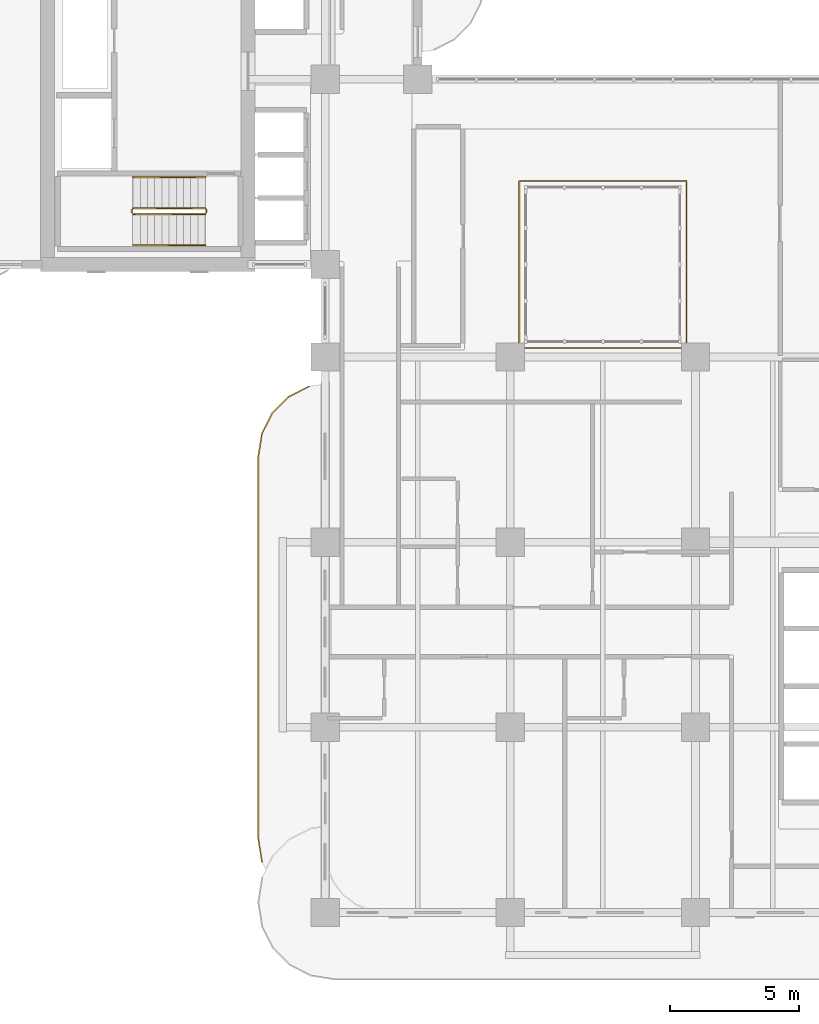
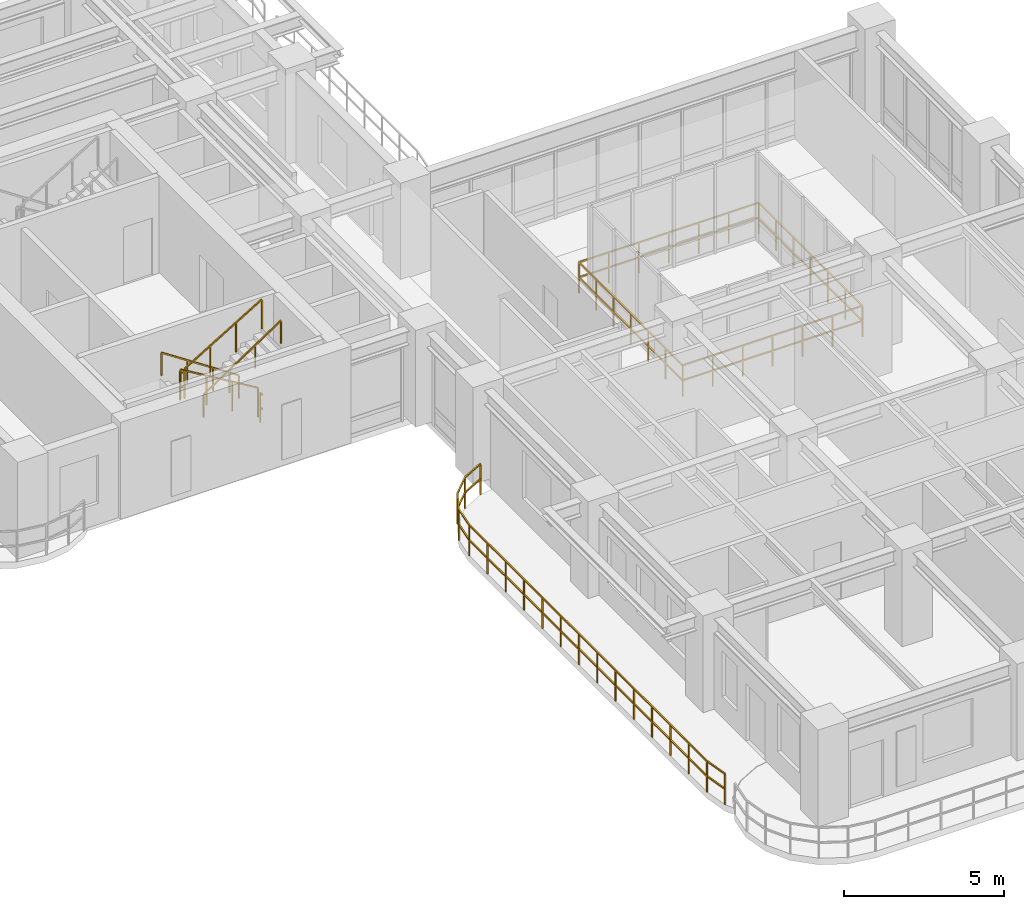
# One storey, part 18 of 22: 8 railings.
"""IFC4 building model written with IfcOpenShell, lengths in metres."""

from ifc_helpers import new_model, si_unit, derived_unit, direction, frame, origin, origin_2d, place, context, subcontext, project, spatial, rectangle, extrude, material, type_object, element, save


model = new_model("IFC4")

# Units and contexts
model_context = context("Model", 3, precision=1e-05, world=origin(), true_north=direction((0.0, 1.0)))
body_context = subcontext(model_context, "Body", "Model", "MODEL_VIEW")
ifc_project = project(units=[si_unit("LENGTHUNIT", "METRE"), si_unit("AREAUNIT", "SQUARE_METRE"), si_unit("VOLUMEUNIT", "CUBIC_METRE"), si_unit("PLANEANGLEUNIT", "RADIAN"), si_unit("MASSUNIT", "GRAM", prefix="KILO"), si_unit("THERMODYNAMICTEMPERATUREUNIT", "KELVIN"), si_unit("POWERUNIT", "WATT"), derived_unit("THERMALTRANSMITTANCEUNIT", [(si_unit("POWERUNIT", "WATT"), 1), (si_unit("AREAUNIT", "SQUARE_METRE"), -1), (si_unit("THERMODYNAMICTEMPERATUREUNIT", "KELVIN"), -1)])], contexts=[model_context])

# Site, building, storey
site_placement = place(None, origin())
site = spatial("IfcSite", under=ifc_project, at=site_placement, CompositionType="ELEMENT")
building_placement = place(site_placement, origin())
building = spatial("IfcBuilding", under=site, at=building_placement, Name="Zahravan Archway Hotel and Residences", CompositionType="ELEMENT")
storey_placement = place(building_placement, frame((0.0, 0.0, 84.199951171875)))
storey = spatial("IfcBuildingStorey", under=building, at=storey_placement, Name="L20", CompositionType="ELEMENT", Elevation=84.199951171875)

# Railings
ifc_material_1 = material(Name="Atrium Laminated Glass Guardrail", Category="glass")
railing_type_1 = type_object("IfcRailingType", Name="RL-ATR-1200", PredefinedType="BALUSTRADE", material=ifc_material_1)
railing_1_placement = place(storey_placement, frame((21.949951171875, 21.949951171875, 0.0)))
element("IfcRailing", 1, at=railing_1_placement, inside=storey, type_object=railing_type_1, Name="L20 Balustrade RL-ATR-L20", PredefinedType="BALUSTRADE", context=body_context, shape_type="SweptSolid", body=[
    extrude(rectangle(XDim=0.048095703125, YDim=0.048095703125, at=origin_2d()), frame((0.0, 0.0, 1.17578125), z_axis=(1.0, 0.0, 0.0), x_axis=(0.0, 1.0, 0.0)), (0.0, 0.0, 1.0), 6.5),
    extrude(rectangle(XDim=0.048095703125, YDim=0.048095703125, at=origin_2d()), frame((0.0, 0.0, 0.60009765625), z_axis=(1.0, 0.0, 0.0), x_axis=(0.0, 1.0, 0.0)), (0.0, 0.0, 1.0), 6.5),
    extrude(rectangle(XDim=0.048095703125, YDim=0.048095703125, at=origin_2d()), frame((6.5, 0.0, 1.17578125), z_axis=(0.0, 1.0, 0.0), x_axis=(-1.0, 0.0, 0.0)), (0.0, 0.0, 1.0), 6.5),
    extrude(rectangle(XDim=0.048095703125, YDim=0.048095703125, at=origin_2d()), frame((6.5, 0.0, 0.60009765625), z_axis=(0.0, 1.0, 0.0), x_axis=(-1.0, 0.0, 0.0)), (0.0, 0.0, 1.0), 6.5),
    extrude(rectangle(XDim=0.048095703125, YDim=0.048095703125, at=origin_2d()), frame((6.5, 6.5, 1.17578125), z_axis=(-1.0, 0.0, 0.0), x_axis=(0.0, -1.0, 0.0)), (0.0, 0.0, 1.0), 6.5),
    extrude(rectangle(XDim=0.048095703125, YDim=0.048095703125, at=origin_2d()), frame((6.5, 6.5, 0.60009765625), z_axis=(-1.0, 0.0, 0.0), x_axis=(0.0, -1.0, 0.0)), (0.0, 0.0, 1.0), 6.5),
    extrude(rectangle(XDim=0.048095703125, YDim=0.048095703125, at=origin_2d()), frame((0.0, 6.5, 1.17578125), z_axis=(0.0, -1.0, 0.0), x_axis=(1.0, 0.0, 0.0)), (0.0, 0.0, 1.0), 6.5),
    extrude(rectangle(XDim=0.048095703125, YDim=0.048095703125, at=origin_2d()), frame((0.0, 6.5, 0.60009765625), z_axis=(0.0, -1.0, 0.0), x_axis=(1.0, 0.0, 0.0)), (0.0, 0.0, 1.0), 6.5),
    extrude(rectangle(XDim=0.0419921875, YDim=0.0419921875, at=origin_2d()), origin(), (0.0, 0.0, 1.0), 1.15185546875),
    extrude(rectangle(XDim=0.0419921875, YDim=0.0419921875, at=origin_2d()), frame((1.083251953125, 0.0, 0.0)), (0.0, 0.0, 1.0), 1.15185546875),
    extrude(rectangle(XDim=0.0419921875, YDim=0.0419921875, at=origin_2d()), frame((2.166748046875, 0.0, 0.0)), (0.0, 0.0, 1.0), 1.15185546875),
    extrude(rectangle(XDim=0.0419921875, YDim=0.0419921875, at=origin_2d()), frame((3.25, 0.0, 0.0)), (0.0, 0.0, 1.0), 1.15185546875),
    extrude(rectangle(XDim=0.0419921875, YDim=0.0419921875, at=origin_2d()), frame((4.333251953125, 0.0, 0.0)), (0.0, 0.0, 1.0), 1.15185546875),
    extrude(rectangle(XDim=0.0419921875, YDim=0.0419921875, at=origin_2d()), frame((5.416748046875, 0.0, 0.0)), (0.0, 0.0, 1.0), 1.15185546875),
    extrude(rectangle(XDim=0.0419921875, YDim=0.0419921875, at=origin_2d()), frame((6.5, 0.0, 0.0)), (0.0, 0.0, 1.0), 1.15185546875),
    extrude(rectangle(XDim=0.0419921875, YDim=0.0419921875, at=origin_2d()), frame((6.5, 1.083251953125, 0.0)), (0.0, 0.0, 1.0), 1.15185546875),
    extrude(rectangle(XDim=0.0419921875, YDim=0.0419921875, at=origin_2d()), frame((6.5, 2.166748046875, 0.0)), (0.0, 0.0, 1.0), 1.15185546875),
    extrude(rectangle(XDim=0.0419921875, YDim=0.0419921875, at=origin_2d()), frame((6.5, 3.25, 0.0)), (0.0, 0.0, 1.0), 1.15185546875),
    extrude(rectangle(XDim=0.0419921875, YDim=0.0419921875, at=origin_2d()), frame((6.5, 4.333251953125, 0.0)), (0.0, 0.0, 1.0), 1.15185546875),
    extrude(rectangle(XDim=0.0419921875, YDim=0.0419921875, at=origin_2d()), frame((6.5, 5.416748046875, 0.0)), (0.0, 0.0, 1.0), 1.15185546875),
    extrude(rectangle(XDim=0.0419921875, YDim=0.0419921875, at=origin_2d()), frame((6.5, 6.5, 0.0)), (0.0, 0.0, 1.0), 1.15185546875),
    extrude(rectangle(XDim=0.0419921875, YDim=0.0419921875, at=origin_2d()), frame((5.416748046875, 6.5, 0.0)), (0.0, 0.0, 1.0), 1.15185546875),
    extrude(rectangle(XDim=0.0419921875, YDim=0.0419921875, at=origin_2d()), frame((4.333251953125, 6.5, 0.0)), (0.0, 0.0, 1.0), 1.15185546875),
    extrude(rectangle(XDim=0.0419921875, YDim=0.0419921875, at=origin_2d()), frame((3.25, 6.5, 0.0)), (0.0, 0.0, 1.0), 1.15185546875),
    extrude(rectangle(XDim=0.0419921875, YDim=0.0419921875, at=origin_2d()), frame((2.166748046875, 6.5, 0.0)), (0.0, 0.0, 1.0), 1.15185546875),
    extrude(rectangle(XDim=0.0419921875, YDim=0.0419921875, at=origin_2d()), frame((1.083251953125, 6.5, 0.0)), (0.0, 0.0, 1.0), 1.15185546875),
    extrude(rectangle(XDim=0.0419921875, YDim=0.0419921875, at=origin_2d()), frame((0.0, 6.5, 0.0)), (0.0, 0.0, 1.0), 1.15185546875),
    extrude(rectangle(XDim=0.0419921875, YDim=0.0419921875, at=origin_2d()), frame((0.0, 5.416748046875, 0.0)), (0.0, 0.0, 1.0), 1.15185546875),
    extrude(rectangle(XDim=0.0419921875, YDim=0.0419921875, at=origin_2d()), frame((0.0, 4.333251953125, 0.0)), (0.0, 0.0, 1.0), 1.15185546875),
    extrude(rectangle(XDim=0.0419921875, YDim=0.0419921875, at=origin_2d()), frame((0.0, 3.25, 0.0)), (0.0, 0.0, 1.0), 1.15185546875),
    extrude(rectangle(XDim=0.0419921875, YDim=0.0419921875, at=origin_2d()), frame((0.0, 2.166748046875, 0.0)), (0.0, 0.0, 1.0), 1.15185546875),
    extrude(rectangle(XDim=0.0419921875, YDim=0.0419921875, at=origin_2d()), frame((0.0, 1.083251953125, 0.0)), (0.0, 0.0, 1.0), 1.15185546875),
])
ifc_material_2 = material(Name="Bronze & Laminated Glass Balustrade", Category="glass")
railing_type_2 = type_object("IfcRailingType", Name="RL-BAL-1200", PredefinedType="BALUSTRADE", material=ifc_material_2)
railing_2_placement = place(storey_placement, frame((11.939453125, 1.96923828125, 0.0)))
element("IfcRailing", 2, at=railing_2_placement, inside=storey, type_object=railing_type_2, Name="L20 Balustrade RL-SLB-BAL-L20-WA-1", PredefinedType="BALUSTRADE", context=body_context, shape_type="SweptSolid", body=[
    extrude(rectangle(XDim=0.048095703125, YDim=0.048095703125, at=origin_2d()), frame((0.0, 0.0, 1.17578125), z_axis=(-0.156314005608, 0.987707411965, 0.0), x_axis=(-0.987707411965, -0.156314005608, 0.0)), (0.0, 0.0, 1.0), 0.891845703125),
    extrude(rectangle(XDim=0.048095703125, YDim=0.048095703125, at=origin_2d()), frame((0.0, 0.0, 0.60009765625), z_axis=(-0.156314005608, 0.987707411965, 0.0), x_axis=(-0.987707411965, -0.156314005608, 0.0)), (0.0, 0.0, 1.0), 0.891845703125),
    extrude(rectangle(XDim=0.048095703125, YDim=0.048095703125, at=origin_2d()), frame((-0.139404296875, 0.880859375, 1.17578125), z_axis=(0.0, 1.0, 0.0), x_axis=(-1.0, 0.0, 0.0)), (0.0, 0.0, 1.0), 14.89990234375),
    extrude(rectangle(XDim=0.048095703125, YDim=0.048095703125, at=origin_2d()), frame((-0.139404296875, 0.880859375, 0.60009765625), z_axis=(0.0, 1.0, 0.0), x_axis=(-1.0, 0.0, 0.0)), (0.0, 0.0, 1.0), 14.89990234375),
    extrude(rectangle(XDim=0.048095703125, YDim=0.048095703125, at=origin_2d()), frame((-0.139404296875, 15.78076171875, 1.17578125), z_axis=(0.156356282588, 0.987700720307, 0.0), x_axis=(-0.987700720307, 0.156356282588, 0.0)), (0.0, 0.0, 1.0), 0.8916015625),
    extrude(rectangle(XDim=0.048095703125, YDim=0.048095703125, at=origin_2d()), frame((-0.139404296875, 15.78076171875, 0.60009765625), z_axis=(0.156356282588, 0.987700720307, 0.0), x_axis=(-0.987700720307, 0.156356282588, 0.0)), (0.0, 0.0, 1.0), 0.8916015625),
    extrude(rectangle(XDim=0.048095703125, YDim=0.048095703125, at=origin_2d()), frame((0.0, 16.661376953125, 1.17578125), z_axis=(0.45388067135, 0.891062476022, 0.0), x_axis=(-0.891062476022, 0.45388067135, 0.0)), (0.0, 0.0, 1.0), 0.891845703125),
    extrude(rectangle(XDim=0.048095703125, YDim=0.048095703125, at=origin_2d()), frame((0.0, 16.661376953125, 0.60009765625), z_axis=(0.45388067135, 0.891062476022, 0.0), x_axis=(-0.891062476022, 0.45388067135, 0.0)), (0.0, 0.0, 1.0), 0.891845703125),
    extrude(rectangle(XDim=0.048095703125, YDim=0.048095703125, at=origin_2d()), frame((0.40478515625, 17.4560546875, 1.17578125), z_axis=(0.70724367147, 0.706969864397, 0.0), x_axis=(-0.706969864397, 0.70724367147, 0.0)), (0.0, 0.0, 1.0), 0.8916015625),
    extrude(rectangle(XDim=0.048095703125, YDim=0.048095703125, at=origin_2d()), frame((0.40478515625, 17.4560546875, 0.60009765625), z_axis=(0.70724367147, 0.706969864397, 0.0), x_axis=(-0.706969864397, 0.70724367147, 0.0)), (0.0, 0.0, 1.0), 0.8916015625),
    extrude(rectangle(XDim=0.048095703125, YDim=0.048095703125, at=origin_2d()), frame((1.035400390625, 18.08642578125, 1.17578125), z_axis=(0.891006060389, 0.453991409995, 0.0), x_axis=(-0.453991409995, 0.891006060389, 0.0)), (0.0, 0.0, 1.0), 0.8916015625),
    extrude(rectangle(XDim=0.048095703125, YDim=0.048095703125, at=origin_2d()), frame((1.035400390625, 18.08642578125, 0.60009765625), z_axis=(0.891006060389, 0.453991409995, 0.0), x_axis=(-0.453991409995, 0.891006060389, 0.0)), (0.0, 0.0, 1.0), 0.8916015625),
    extrude(rectangle(XDim=0.0419921875, YDim=0.0419921875, at=origin_2d()), origin(), (0.0, 0.0, 1.0), 1.15185546875),
    extrude(rectangle(XDim=0.0419921875, YDim=0.0419921875, at=origin_2d()), frame((-0.139404296875, 0.880859375, 0.0)), (0.0, 0.0, 1.0), 1.15185546875),
    extrude(rectangle(XDim=0.0419921875, YDim=0.0419921875, at=origin_2d()), frame((-0.139404296875, 2.027099609375, 0.0)), (0.0, 0.0, 1.0), 1.15185546875),
    extrude(rectangle(XDim=0.0419921875, YDim=0.0419921875, at=origin_2d()), frame((-0.139404296875, 3.173095703125, 0.0)), (0.0, 0.0, 1.0), 1.15185546875),
    extrude(rectangle(XDim=0.0419921875, YDim=0.0419921875, at=origin_2d()), frame((-0.139404296875, 4.3193359375, 0.0)), (0.0, 0.0, 1.0), 1.15185546875),
    extrude(rectangle(XDim=0.0419921875, YDim=0.0419921875, at=origin_2d()), frame((-0.139404296875, 5.46533203125, 0.0)), (0.0, 0.0, 1.0), 1.15185546875),
    extrude(rectangle(XDim=0.0419921875, YDim=0.0419921875, at=origin_2d()), frame((-0.139404296875, 6.611572265625, 0.0)), (0.0, 0.0, 1.0), 1.15185546875),
    extrude(rectangle(XDim=0.0419921875, YDim=0.0419921875, at=origin_2d()), frame((-0.139404296875, 7.7578125, 0.0)), (0.0, 0.0, 1.0), 1.15185546875),
    extrude(rectangle(XDim=0.0419921875, YDim=0.0419921875, at=origin_2d()), frame((-0.139404296875, 8.90380859375, 0.0)), (0.0, 0.0, 1.0), 1.15185546875),
    extrude(rectangle(XDim=0.0419921875, YDim=0.0419921875, at=origin_2d()), frame((-0.139404296875, 10.050048828125, 0.0)), (0.0, 0.0, 1.0), 1.15185546875),
    extrude(rectangle(XDim=0.0419921875, YDim=0.0419921875, at=origin_2d()), frame((-0.139404296875, 11.1962890625, 0.0)), (0.0, 0.0, 1.0), 1.15185546875),
    extrude(rectangle(XDim=0.0419921875, YDim=0.0419921875, at=origin_2d()), frame((-0.139404296875, 12.34228515625, 0.0)), (0.0, 0.0, 1.0), 1.15185546875),
    extrude(rectangle(XDim=0.0419921875, YDim=0.0419921875, at=origin_2d()), frame((-0.139404296875, 13.488525390625, 0.0)), (0.0, 0.0, 1.0), 1.15185546875),
    extrude(rectangle(XDim=0.0419921875, YDim=0.0419921875, at=origin_2d()), frame((-0.139404296875, 14.634521484375, 0.0)), (0.0, 0.0, 1.0), 1.15185546875),
    extrude(rectangle(XDim=0.0419921875, YDim=0.0419921875, at=origin_2d()), frame((-0.139404296875, 15.78076171875, 0.0)), (0.0, 0.0, 1.0), 1.15185546875),
    extrude(rectangle(XDim=0.0419921875, YDim=0.0419921875, at=origin_2d()), frame((0.0, 16.661376953125, 0.0)), (0.0, 0.0, 1.0), 1.15185546875),
    extrude(rectangle(XDim=0.0419921875, YDim=0.0419921875, at=origin_2d()), frame((0.40478515625, 17.4560546875, 0.0)), (0.0, 0.0, 1.0), 1.15185546875),
    extrude(rectangle(XDim=0.0419921875, YDim=0.0419921875, at=origin_2d()), frame((1.035400390625, 18.08642578125, 0.0)), (0.0, 0.0, 1.0), 1.15185546875),
    extrude(rectangle(XDim=0.0419921875, YDim=0.0419921875, at=origin_2d()), frame((1.829833984375, 18.4912109375, 0.0)), (0.0, 0.0, 1.0), 1.15185546875),
])
ifc_material_3 = material(Name="Painted Tubular Steel", Category="steel")
railing_type_3 = type_object("IfcRailingType", Name="RL-STG-1150", PredefinedType="GUARDRAIL", material=ifc_material_3)
railing_3_placement = place(storey_placement, frame((9.72998046875, 27.389892578125, 0.168212890625)))
element("IfcRailing", 3, at=railing_3_placement, inside=storey, type_object=railing_type_3, Name="L20 ST-B1 stair guard 1", PredefinedType="GUARDRAIL", context=body_context, shape_type="SweptSolid", body=[
    extrude(rectangle(XDim=0.048095703125, YDim=0.048095703125, at=origin_2d()), frame((0.0, 0.0, 1.1259765625), z_axis=(-0.857242210791, 0.0, 0.514913383045), x_axis=(0.0, -1.0, 0.0)), (0.0, 0.0, 1.0), 3.266357421875),
    extrude(rectangle(XDim=0.0419921875, YDim=0.0419921875, at=origin_2d()), origin(), (0.0, 0.0, 1.0), 1.101806640625),
    extrude(rectangle(XDim=0.0419921875, YDim=0.0419921875, at=origin_2d()), frame((-0.933349609375, 0.0, 0.560546875)), (0.0, 0.0, 1.0), 1.101806640625),
    extrude(rectangle(XDim=0.0419921875, YDim=0.0419921875, at=origin_2d()), frame((-1.86669921875, 0.0, 1.121337890625)), (0.0, 0.0, 1.0), 1.101806640625),
    extrude(rectangle(XDim=0.0419921875, YDim=0.0419921875, at=origin_2d()), frame((-2.800048828125, 0.0, 1.681884765625)), (0.0, 0.0, 1.0), 1.101806640625),
])
railing_4_placement = place(storey_placement, frame((6.8798828125, 27.340087890625, 1.85009765625)))
element("IfcRailing", 4, at=railing_4_placement, inside=storey, type_object=railing_type_3, Name="L20 ST-B1 stair guard 2", PredefinedType="GUARDRAIL", context=body_context, shape_type="SweptSolid", body=[
    extrude(rectangle(XDim=0.048095703125, YDim=0.048095703125, at=origin_2d()), frame((0.0, 0.0, 1.1259765625), z_axis=(0.0, -1.0, 0.0), x_axis=(1.0, 0.0, 0.0)), (0.0, 0.0, 1.0), 0.14013671875),
    extrude(rectangle(XDim=0.048095703125, YDim=0.048095703125, at=origin_2d()), frame((0.0, 0.0, 0.574951171875), z_axis=(0.0, -1.0, 0.0), x_axis=(1.0, 0.0, 0.0)), (0.0, 0.0, 1.0), 0.14013671875),
    extrude(rectangle(XDim=0.0419921875, YDim=0.0419921875, at=origin_2d()), origin(), (0.0, 0.0, 1.0), 1.101806640625),
])
railing_5_placement = place(storey_placement, frame((6.929931640625, 27.14990234375, 2.018310546875)))
element("IfcRailing", 5, at=railing_5_placement, inside=storey, type_object=railing_type_3, Name="L20 ST-B1 stair guard 3", PredefinedType="GUARDRAIL", context=body_context, shape_type="SweptSolid", body=[
    extrude(rectangle(XDim=0.048095703125, YDim=0.048095703125, at=origin_2d()), frame((0.0, 0.0, 1.1259765625), z_axis=(0.857275202839, 0.0, 0.514858452973), x_axis=(0.0, 1.0, 0.0)), (0.0, 0.0, 1.0), 3.26611328125),
    extrude(rectangle(XDim=0.0419921875, YDim=0.0419921875, at=origin_2d()), origin(), (0.0, 0.0, 1.0), 1.101806640625),
    extrude(rectangle(XDim=0.0419921875, YDim=0.0419921875, at=origin_2d()), frame((0.933349609375, 0.0, 0.560546875)), (0.0, 0.0, 1.0), 1.101806640625),
    extrude(rectangle(XDim=0.0419921875, YDim=0.0419921875, at=origin_2d()), frame((1.86669921875, 0.0, 1.12109375)), (0.0, 0.0, 1.0), 1.101806640625),
    extrude(rectangle(XDim=0.0419921875, YDim=0.0419921875, at=origin_2d()), frame((2.800048828125, 0.0, 1.681640625)), (0.0, 0.0, 1.0), 1.101806640625),
])
railing_6_placement = place(storey_placement, frame((9.780029296875, 27.340087890625, 0.0)))
element("IfcRailing", 6, at=railing_6_placement, inside=storey, type_object=railing_type_3, Name="L20 ST-B1 stair guard 4", PredefinedType="GUARDRAIL", context=body_context, shape_type="SweptSolid", body=[
    extrude(rectangle(XDim=0.048095703125, YDim=0.048095703125, at=origin_2d()), frame((0.0, 0.0, 1.1259765625), z_axis=(0.0, -1.0, 0.0), x_axis=(1.0, 0.0, 0.0)), (0.0, 0.0, 1.0), 0.14013671875),
    extrude(rectangle(XDim=0.048095703125, YDim=0.048095703125, at=origin_2d()), frame((0.0, 0.0, 0.574951171875), z_axis=(0.0, -1.0, 0.0), x_axis=(1.0, 0.0, 0.0)), (0.0, 0.0, 1.0), 0.14013671875),
    extrude(rectangle(XDim=0.0419921875, YDim=0.0419921875, at=origin_2d()), origin(), (0.0, 0.0, 1.0), 1.101806640625),
])
ifc_material_4 = material(Name="Brushed Stainless Steel", Category="steel")
railing_type_4 = type_object("IfcRailingType", Name="RL-STH-900", PredefinedType="HANDRAIL", material=ifc_material_4)
railing_7_placement = place(storey_placement, frame((9.72998046875, 28.590087890625, 0.168212890625)))
element("IfcRailing", 7, at=railing_7_placement, inside=storey, type_object=railing_type_4, Name="L20 ST-B1 stair handrail 1", PredefinedType="HANDRAIL", context=body_context, shape_type="SweptSolid", body=[
    extrude(rectangle(XDim=0.048095703125, YDim=0.048095703125, at=origin_2d()), frame((0.0, 0.0, 0.8759765625), z_axis=(-0.834326358476, 0.0, 0.551270829586), x_axis=(0.0, -1.0, 0.0)), (0.0, 0.0, 1.0), 3.35595703125),
    extrude(rectangle(XDim=0.0419921875, YDim=0.0419921875, at=origin_2d()), origin(), (0.0, 0.0, 1.0), 0.851806640625),
    extrude(rectangle(XDim=0.0419921875, YDim=0.0419921875, at=origin_2d()), frame((-0.933349609375, 0.0, 0.61669921875)), (0.0, 0.0, 1.0), 0.851806640625),
    extrude(rectangle(XDim=0.0419921875, YDim=0.0419921875, at=origin_2d()), frame((-1.86669921875, 0.0, 1.2333984375)), (0.0, 0.0, 1.0), 0.851806640625),
    extrude(rectangle(XDim=0.0419921875, YDim=0.0419921875, at=origin_2d()), frame((-2.800048828125, 0.0, 1.85009765625)), (0.0, 0.0, 1.0), 0.851806640625),
])
railing_8_placement = place(storey_placement, frame((6.929931640625, 25.949951171875, 2.018310546875)))
element("IfcRailing", 8, at=railing_8_placement, inside=storey, type_object=railing_type_4, Name="L20 ST-B1 stair handrail 2", PredefinedType="HANDRAIL", context=body_context, shape_type="SweptSolid", body=[
    extrude(rectangle(XDim=0.048095703125, YDim=0.048095703125, at=origin_2d()), frame((0.0, 0.0, 0.8759765625), z_axis=(0.83435981716, 0.0, 0.551220187865), x_axis=(0.0, 1.0, 0.0)), (0.0, 0.0, 1.0), 3.35595703125),
    extrude(rectangle(XDim=0.0419921875, YDim=0.0419921875, at=origin_2d()), origin(), (0.0, 0.0, 1.0), 0.851806640625),
    extrude(rectangle(XDim=0.0419921875, YDim=0.0419921875, at=origin_2d()), frame((0.933349609375, 0.0, 0.61669921875)), (0.0, 0.0, 1.0), 0.851806640625),
    extrude(rectangle(XDim=0.0419921875, YDim=0.0419921875, at=origin_2d()), frame((1.86669921875, 0.0, 1.233154296875)), (0.0, 0.0, 1.0), 0.851806640625),
    extrude(rectangle(XDim=0.0419921875, YDim=0.0419921875, at=origin_2d()), frame((2.800048828125, 0.0, 1.849853515625)), (0.0, 0.0, 1.0), 0.851806640625),
])

save(model, "model.ifc")
